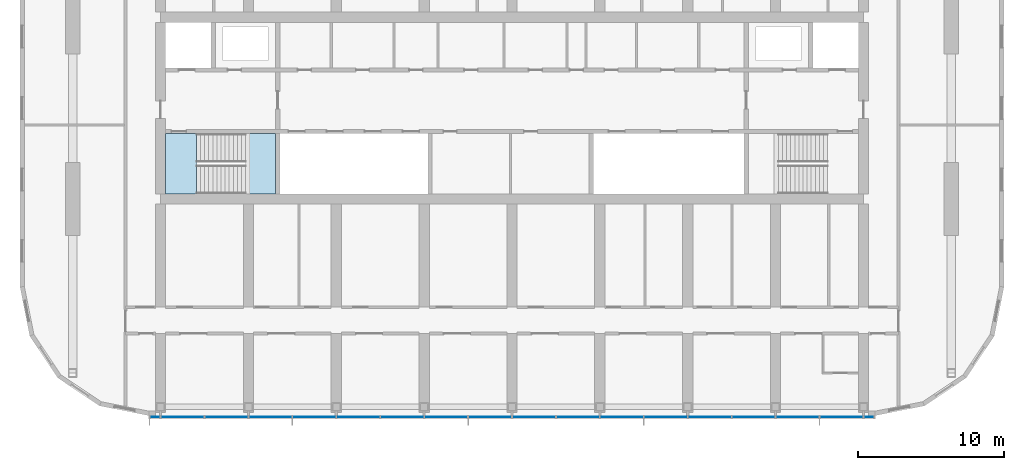
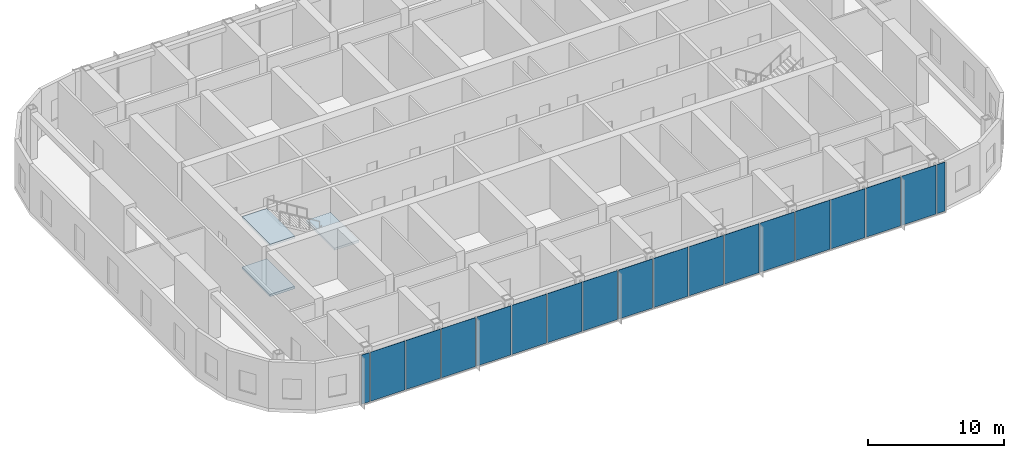
# One storey, part 7 of 21: 18 plates, 3 slabs, 2 elements without a shape of their own.
"""IFC4 building model written with IfcOpenShell, lengths in metres."""

from ifc_helpers import new_model, si_unit, direction, frame, origin, origin_2d, place, context, subcontext, project, spatial, polyline, rectangle, outline, extrude, material, layer, layer_set, type_object, element, aggregate, save


model = new_model("IFC4")

# Units and contexts
model_context = context("Model", 3, precision=1e-05, world=origin(), true_north=direction((0.0, 1.0)))
body_context = subcontext(model_context, "Body", "Model", "MODEL_VIEW")
ifc_project = project(units=[si_unit("LENGTHUNIT", "METRE"), si_unit("AREAUNIT", "SQUARE_METRE"), si_unit("VOLUMEUNIT", "CUBIC_METRE"), si_unit("PLANEANGLEUNIT", "RADIAN"), si_unit("MASSUNIT", "GRAM", prefix="KILO")], contexts=[model_context])

# Site, building, storey
site_placement = place(None, origin())
site = spatial("IfcSite", under=ifc_project, at=site_placement, CompositionType="ELEMENT")
building_placement = place(site_placement, origin())
building = spatial("IfcBuilding", under=site, at=building_placement, Name="Orbita Commons", CompositionType="ELEMENT")
storey_placement = place(building_placement, frame((0.0, 0.0, 257.800048828125)))
storey = spatial("IfcBuildingStorey", under=building, at=storey_placement, Name="L64", CompositionType="ELEMENT", Elevation=257.800048828125)

# Stair, slabs
ifc_material_1 = material(Name="Precast concrete C40/50", Category="concrete")
stair_type = type_object("IfcStairType", Name="Exit stair S1 2 flights 13 risers 173", PredefinedType="HALF_TURN_STAIR", material=ifc_material_1)
stair_placement = place(storey_placement, origin())
stair = element("IfcStair", 1, at=stair_placement, inside=storey, type_object=stair_type, Name="Exit stair S1 L64", PredefinedType="HALF_TURN_STAIR")
ifc_material_2 = material(Name="Concrete C40/50", Category="concrete")
ifc_layer_1 = layer(ifc_material_2, 0.199951171875)
ifc_layer_set_1 = layer_set([ifc_layer_1], Name="Concrete C40/50")
slab_type = type_object("IfcSlabType", Name="Stair landing 200", PredefinedType="LANDING", material=ifc_layer_set_1)
slab_1_placement = place(storey_placement, frame((0.0, 0.0, -0.199951171875)))
slab_1 = element("IfcSlab", 2, at=slab_1_placement, type_object=slab_type, Name="S1 landing 1", PredefinedType="LANDING", context=body_context, shape_type="SweptSolid", body=[
    extrude(outline(polyline([(18.35009765625, 26.14990234375), (20.449951171875, 26.14990234375), (20.449951171875, 30.25), (18.35009765625, 30.25), (18.35009765625, 26.14990234375)])), origin(), (0.0, 0.0, 1.0), 0.199951171875),
])
slab_2_placement = place(storey_placement, frame((0.0, 0.0, 2.050048828125)))
slab_2 = element("IfcSlab", 3, at=slab_2_placement, type_object=slab_type, Name="S1 landing 2", PredefinedType="LANDING", context=body_context, shape_type="SweptSolid", body=[
    extrude(outline(polyline([(23.81005859375, 26.135009765625), (25.864990234375, 26.135009765625), (25.864990234375, 30.264892578125), (23.81005859375, 30.264892578125), (23.81005859375, 26.135009765625)])), origin(), (0.0, 0.0, 1.0), 0.199951171875),
])
slab_3_placement = place(storey_placement, frame((0.0, 0.0, 4.300048828125)))
slab_3 = element("IfcSlab", 4, at=slab_3_placement, type_object=slab_type, Name="S1 landing 3", PredefinedType="LANDING", context=body_context, shape_type="SweptSolid", body=[
    extrude(outline(polyline([(18.35009765625, 26.14990234375), (20.449951171875, 26.14990234375), (20.449951171875, 30.25), (18.35009765625, 30.25), (18.35009765625, 26.14990234375)])), origin(), (0.0, 0.0, 1.0), 0.199951171875),
])
aggregate(stair, [slab_1, slab_2, slab_3])

# Curtain wall, plates
ifc_material_3 = material(Name="Anodised aluminium frame, pale silver", Category="aluminium")
curtain_wall_type = type_object("IfcCurtainWallType", Name="Unitised curtain wall CW-S, full-height", PredefinedType="NOTDEFINED", material=ifc_material_3)
curtain_wall_placement = place(storey_placement, origin())
curtain_wall = element("IfcCurtainWall", 5, at=curtain_wall_placement, inside=storey, type_object=curtain_wall_type, Name="Curtain wall south L64", PredefinedType="NOTDEFINED")
ifc_material_4 = material(Name="Low-iron glass", Category="glass")
ifc_layer_2 = layer(ifc_material_4, 0.031982421875)
ifc_layer_set_2 = layer_set([ifc_layer_2], Name="Low-iron glass")
plate_type = type_object("IfcPlateType", Name="Vision panel, clear low-iron glazing 32", PredefinedType="CURTAIN_PANEL", material=ifc_layer_set_2)
plate_1_placement = place(storey_placement, frame((17.6201171875, 10.889892578125, -0.199951171875), z_axis=(0.0, 0.0, 1.0), x_axis=(1.0, 0.0, 0.0)))
plate_1 = element("IfcPlate", 6, at=plate_1_placement, type_object=plate_type, Name="Panel 1.1 CW-L64-S", PredefinedType="CURTAIN_PANEL", context=body_context, shape_type="SweptSolid", body=[
    extrude(rectangle(XDim=0.679931640625, YDim=0.031982421875, at=origin_2d()), origin(), (0.0, 0.0, 1.0), 4.39990234375),
])
plate_2_placement = place(storey_placement, frame((19.5, 10.889892578125, -0.199951171875), z_axis=(0.0, 0.0, 1.0), x_axis=(1.0, 0.0, 0.0)))
plate_2 = element("IfcPlate", 7, at=plate_2_placement, type_object=plate_type, Name="Panel 2.1 CW-L64-S", PredefinedType="CURTAIN_PANEL", context=body_context, shape_type="SweptSolid", body=[
    extrude(rectangle(XDim=2.919921875, YDim=0.031982421875, at=origin_2d()), origin(), (0.0, 0.0, 1.0), 4.39990234375),
])
plate_3_placement = place(storey_placement, frame((22.5, 10.889892578125, -0.199951171875), z_axis=(0.0, 0.0, 1.0), x_axis=(1.0, 0.0, 0.0)))
plate_3 = element("IfcPlate", 8, at=plate_3_placement, type_object=plate_type, Name="Panel 3.1 CW-L64-S", PredefinedType="CURTAIN_PANEL", context=body_context, shape_type="SweptSolid", body=[
    extrude(rectangle(XDim=2.919921875, YDim=0.031982421875, at=origin_2d()), origin(), (0.0, 0.0, 1.0), 4.39990234375),
])
plate_4_placement = place(storey_placement, frame((25.5, 10.889892578125, -0.199951171875), z_axis=(0.0, 0.0, 1.0), x_axis=(1.0, 0.0, 0.0)))
plate_4 = element("IfcPlate", 9, at=plate_4_placement, type_object=plate_type, Name="Panel 4.1 CW-L64-S", PredefinedType="CURTAIN_PANEL", context=body_context, shape_type="SweptSolid", body=[
    extrude(rectangle(XDim=2.919921875, YDim=0.031982421875, at=origin_2d()), origin(), (0.0, 0.0, 1.0), 4.39990234375),
])
plate_5_placement = place(storey_placement, frame((28.5, 10.889892578125, -0.199951171875), z_axis=(0.0, 0.0, 1.0), x_axis=(1.0, 0.0, 0.0)))
plate_5 = element("IfcPlate", 10, at=plate_5_placement, type_object=plate_type, Name="Panel 5.1 CW-L64-S", PredefinedType="CURTAIN_PANEL", context=body_context, shape_type="SweptSolid", body=[
    extrude(rectangle(XDim=2.919921875, YDim=0.031982421875, at=origin_2d()), origin(), (0.0, 0.0, 1.0), 4.39990234375),
])
plate_6_placement = place(storey_placement, frame((31.5, 10.889892578125, -0.199951171875), z_axis=(0.0, 0.0, 1.0), x_axis=(1.0, 0.0, 0.0)))
plate_6 = element("IfcPlate", 11, at=plate_6_placement, type_object=plate_type, Name="Panel 6.1 CW-L64-S", PredefinedType="CURTAIN_PANEL", context=body_context, shape_type="SweptSolid", body=[
    extrude(rectangle(XDim=2.919921875, YDim=0.031982421875, at=origin_2d()), origin(), (0.0, 0.0, 1.0), 4.39990234375),
])
plate_7_placement = place(storey_placement, frame((34.5, 10.889892578125, -0.199951171875), z_axis=(0.0, 0.0, 1.0), x_axis=(1.0, 0.0, 0.0)))
plate_7 = element("IfcPlate", 12, at=plate_7_placement, type_object=plate_type, Name="Panel 7.1 CW-L64-S", PredefinedType="CURTAIN_PANEL", context=body_context, shape_type="SweptSolid", body=[
    extrude(rectangle(XDim=2.919921875, YDim=0.031982421875, at=origin_2d()), origin(), (0.0, 0.0, 1.0), 4.39990234375),
])
plate_8_placement = place(storey_placement, frame((37.5, 10.889892578125, -0.199951171875), z_axis=(0.0, 0.0, 1.0), x_axis=(1.0, 0.0, 0.0)))
plate_8 = element("IfcPlate", 13, at=plate_8_placement, type_object=plate_type, Name="Panel 8.1 CW-L64-S", PredefinedType="CURTAIN_PANEL", context=body_context, shape_type="SweptSolid", body=[
    extrude(rectangle(XDim=2.919921875, YDim=0.031982421875, at=origin_2d()), origin(), (0.0, 0.0, 1.0), 4.39990234375),
])
plate_9_placement = place(storey_placement, frame((40.5, 10.889892578125, -0.199951171875), z_axis=(0.0, 0.0, 1.0), x_axis=(1.0, 0.0, 0.0)))
plate_9 = element("IfcPlate", 14, at=plate_9_placement, type_object=plate_type, Name="Panel 9.1 CW-L64-S", PredefinedType="CURTAIN_PANEL", context=body_context, shape_type="SweptSolid", body=[
    extrude(rectangle(XDim=2.919921875, YDim=0.031982421875, at=origin_2d()), origin(), (0.0, 0.0, 1.0), 4.39990234375),
])
plate_10_placement = place(storey_placement, frame((43.5, 10.889892578125, -0.199951171875), z_axis=(0.0, 0.0, 1.0), x_axis=(1.0, 0.0, 0.0)))
plate_10 = element("IfcPlate", 15, at=plate_10_placement, type_object=plate_type, Name="Panel 10.1 CW-L64-S", PredefinedType="CURTAIN_PANEL", context=body_context, shape_type="SweptSolid", body=[
    extrude(rectangle(XDim=2.919921875, YDim=0.031982421875, at=origin_2d()), origin(), (0.0, 0.0, 1.0), 4.39990234375),
])
plate_11_placement = place(storey_placement, frame((46.5, 10.889892578125, -0.199951171875), z_axis=(0.0, 0.0, 1.0), x_axis=(1.0, 0.0, 0.0)))
plate_11 = element("IfcPlate", 16, at=plate_11_placement, type_object=plate_type, Name="Panel 11.1 CW-L64-S", PredefinedType="CURTAIN_PANEL", context=body_context, shape_type="SweptSolid", body=[
    extrude(rectangle(XDim=2.919921875, YDim=0.031982421875, at=origin_2d()), origin(), (0.0, 0.0, 1.0), 4.39990234375),
])
plate_12_placement = place(storey_placement, frame((49.5, 10.889892578125, -0.199951171875), z_axis=(0.0, 0.0, 1.0), x_axis=(1.0, 0.0, 0.0)))
plate_12 = element("IfcPlate", 17, at=plate_12_placement, type_object=plate_type, Name="Panel 12.1 CW-L64-S", PredefinedType="CURTAIN_PANEL", context=body_context, shape_type="SweptSolid", body=[
    extrude(rectangle(XDim=2.919921875, YDim=0.031982421875, at=origin_2d()), origin(), (0.0, 0.0, 1.0), 4.39990234375),
])
plate_13_placement = place(storey_placement, frame((52.5, 10.889892578125, -0.199951171875), z_axis=(0.0, 0.0, 1.0), x_axis=(1.0, 0.0, 0.0)))
plate_13 = element("IfcPlate", 18, at=plate_13_placement, type_object=plate_type, Name="Panel 13.1 CW-L64-S", PredefinedType="CURTAIN_PANEL", context=body_context, shape_type="SweptSolid", body=[
    extrude(rectangle(XDim=2.919921875, YDim=0.031982421875, at=origin_2d()), origin(), (0.0, 0.0, 1.0), 4.39990234375),
])
plate_14_placement = place(storey_placement, frame((55.5, 10.889892578125, -0.199951171875), z_axis=(0.0, 0.0, 1.0), x_axis=(1.0, 0.0, 0.0)))
plate_14 = element("IfcPlate", 19, at=plate_14_placement, type_object=plate_type, Name="Panel 14.1 CW-L64-S", PredefinedType="CURTAIN_PANEL", context=body_context, shape_type="SweptSolid", body=[
    extrude(rectangle(XDim=2.919921875, YDim=0.031982421875, at=origin_2d()), origin(), (0.0, 0.0, 1.0), 4.39990234375),
])
plate_15_placement = place(storey_placement, frame((58.5, 10.889892578125, -0.199951171875), z_axis=(0.0, 0.0, 1.0), x_axis=(1.0, 0.0, 0.0)))
plate_15 = element("IfcPlate", 20, at=plate_15_placement, type_object=plate_type, Name="Panel 15.1 CW-L64-S", PredefinedType="CURTAIN_PANEL", context=body_context, shape_type="SweptSolid", body=[
    extrude(rectangle(XDim=2.919921875, YDim=0.031982421875, at=origin_2d()), origin(), (0.0, 0.0, 1.0), 4.39990234375),
])
plate_16_placement = place(storey_placement, frame((61.5, 10.889892578125, -0.199951171875), z_axis=(0.0, 0.0, 1.0), x_axis=(1.0, 0.0, 0.0)))
plate_16 = element("IfcPlate", 21, at=plate_16_placement, type_object=plate_type, Name="Panel 16.1 CW-L64-S", PredefinedType="CURTAIN_PANEL", context=body_context, shape_type="SweptSolid", body=[
    extrude(rectangle(XDim=2.919921875, YDim=0.031982421875, at=origin_2d()), origin(), (0.0, 0.0, 1.0), 4.39990234375),
])
plate_17_placement = place(storey_placement, frame((64.5, 10.889892578125, -0.199951171875), z_axis=(0.0, 0.0, 1.0), x_axis=(1.0, 0.0, 0.0)))
plate_17 = element("IfcPlate", 22, at=plate_17_placement, type_object=plate_type, Name="Panel 17.1 CW-L64-S", PredefinedType="CURTAIN_PANEL", context=body_context, shape_type="SweptSolid", body=[
    extrude(rectangle(XDim=2.919921875, YDim=0.031982421875, at=origin_2d()), origin(), (0.0, 0.0, 1.0), 4.39990234375),
])
plate_18_placement = place(storey_placement, frame((66.3798828125, 10.889892578125, -0.199951171875), z_axis=(0.0, 0.0, 1.0), x_axis=(1.0, 0.0, 0.0)))
plate_18 = element("IfcPlate", 23, at=plate_18_placement, type_object=plate_type, Name="Panel 18.1 CW-L64-S", PredefinedType="CURTAIN_PANEL", context=body_context, shape_type="SweptSolid", body=[
    extrude(rectangle(XDim=0.679931640625, YDim=0.031982421875, at=origin_2d()), origin(), (0.0, 0.0, 1.0), 4.39990234375),
])
aggregate(curtain_wall, [plate_1, plate_2, plate_3, plate_4, plate_5, plate_6, plate_7, plate_8, plate_9, plate_10, plate_11, plate_12, plate_13, plate_14, plate_15, plate_16, plate_17, plate_18])

save(model, "model.ifc")
